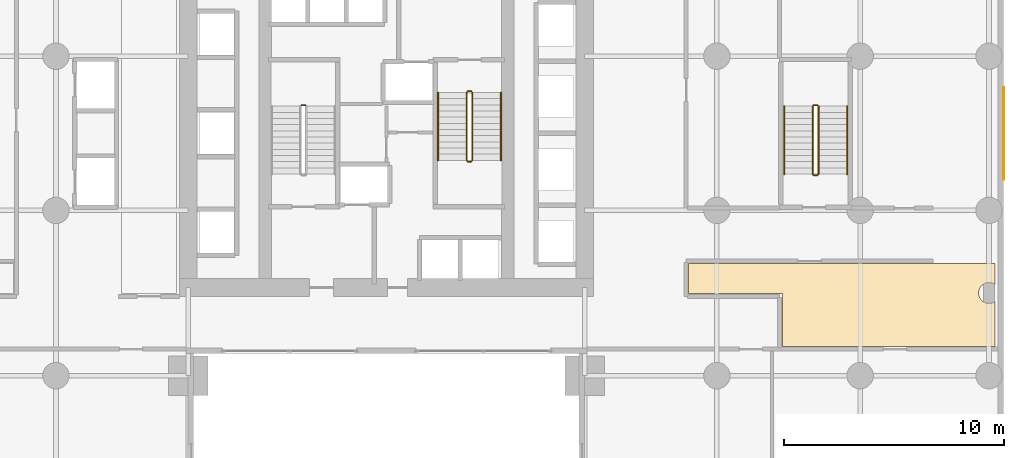
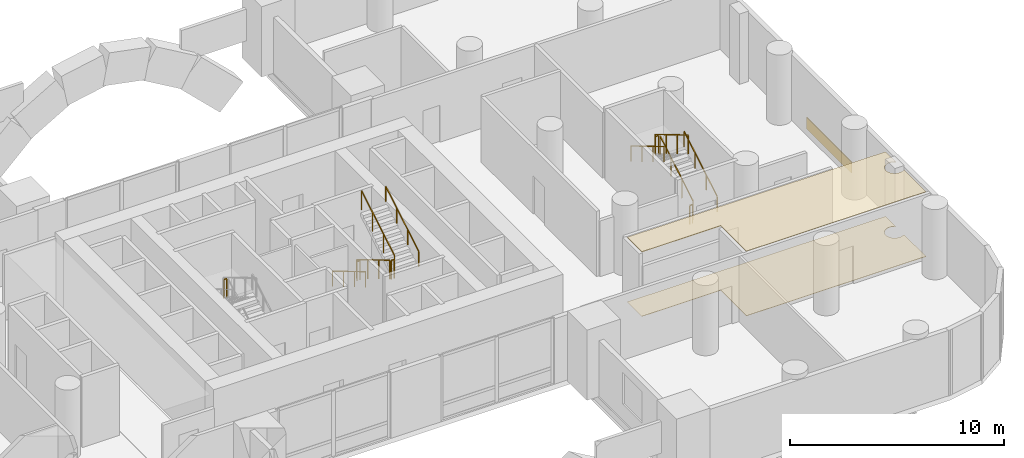
# One storey, part 9 of 9: 13 railings, 3 coverings.
"""IFC4 building model written with IfcOpenShell, lengths in metres."""

from ifc_helpers import new_model, si_unit, direction, frame, origin, origin_2d, place, context, subcontext, project, spatial, polyline, rectangle, outline, extrude, material, layer, layer_set, type_object, element, save


model = new_model("IFC4")

# Units and contexts
model_context = context("Model", 3, precision=1e-05, world=origin(), true_north=direction((0.0, 1.0)))
body_context = subcontext(model_context, "Body", "Model", "MODEL_VIEW")
ifc_project = project(units=[si_unit("LENGTHUNIT", "METRE"), si_unit("AREAUNIT", "SQUARE_METRE"), si_unit("VOLUMEUNIT", "CUBIC_METRE"), si_unit("PLANEANGLEUNIT", "RADIAN"), si_unit("MASSUNIT", "GRAM", prefix="KILO")], contexts=[model_context])

# Site, building, storey
site_placement = place(None, origin())
site = spatial("IfcSite", under=ifc_project, at=site_placement, CompositionType="ELEMENT")
building_placement = place(site_placement, origin())
building = spatial("IfcBuilding", under=site, at=building_placement, Name="Veldorim Arch Residences", CompositionType="ELEMENT")
storey_placement = place(building_placement, frame((0.0, 0.0, 8.0)))
storey = spatial("IfcBuildingStorey", under=building, at=storey_placement, Name="L02", CompositionType="ELEMENT", Elevation=8.0)

# Railings
ifc_material_1 = material(Name="Steel S355", Category="steel")
railing_type_1 = type_object("IfcRailingType", Name="Galvanised Steel Stair Safety Guardrail 1100", PredefinedType="GUARDRAIL", material=ifc_material_1)
railing_1_placement = place(storey_placement, frame((28.31005859375, 25.280029296875, 2.0)))
element("IfcRailing", 1, at=railing_1_placement, inside=storey, type_object=railing_type_1, Name="L02 ST-1 stair guard 2", PredefinedType="GUARDRAIL", context=body_context, shape_type="SweptSolid", body=[
    extrude(rectangle(XDim=0.048095703125, YDim=0.048095703125, at=origin_2d()), frame((0.0, 0.0, 1.076171875), z_axis=(-1.0, 0.0, 0.0), x_axis=(0.0, -1.0, 0.0)), (0.0, 0.0, 1.0), 0.16015625),
    extrude(rectangle(XDim=0.0419921875, YDim=0.0419921875, at=origin_2d()), origin(), (0.0, 0.0, 1.0), 1.052001953125),
    extrude(rectangle(XDim=0.0419921875, YDim=0.0419921875, at=origin_2d()), frame((-0.16015625, 0.0, 0.0)), (0.0, 0.0, 1.0), 1.052001953125),
])
railing_2_placement = place(storey_placement, frame((35.639892578125, 25.85009765625, 0.166748046875)))
element("IfcRailing", 2, at=railing_2_placement, inside=storey, type_object=railing_type_1, Name="L02 ST-2 stair guard 1", PredefinedType="GUARDRAIL", context=body_context, shape_type="SweptSolid", body=[
    extrude(rectangle(XDim=0.048095703125, YDim=0.048095703125, at=origin_2d()), frame((0.0, 0.0, 1.076171875), z_axis=(0.0, -0.859308565015, 0.511457515432), x_axis=(1.0, 0.0, 0.0)), (0.0, 0.0, 1.0), 3.58447265625),
    extrude(rectangle(XDim=0.0419921875, YDim=0.0419921875, at=origin_2d()), origin(), (0.0, 0.0, 1.0), 1.052001953125),
    extrude(rectangle(XDim=0.0419921875, YDim=0.0419921875, at=origin_2d()), frame((0.0, -1.026611328125, 0.611083984375)), (0.0, 0.0, 1.0), 1.052001953125),
    extrude(rectangle(XDim=0.0419921875, YDim=0.0419921875, at=origin_2d()), frame((0.0, -2.053466796875, 1.22216796875)), (0.0, 0.0, 1.0), 1.052001953125),
    extrude(rectangle(XDim=0.0419921875, YDim=0.0419921875, at=origin_2d()), frame((0.0, -3.080078125, 1.833251953125)), (0.0, 0.0, 1.0), 1.052001953125),
])
railing_3_placement = place(storey_placement, frame((35.68994140625, 22.719970703125, 2.0)))
element("IfcRailing", 3, at=railing_3_placement, inside=storey, type_object=railing_type_1, Name="L02 ST-2 stair guard 2", PredefinedType="GUARDRAIL", context=body_context, shape_type="SweptSolid", body=[
    extrude(rectangle(XDim=0.048095703125, YDim=0.048095703125, at=origin_2d()), frame((0.0, 0.0, 1.076171875), z_axis=(1.0, 0.0, 0.0), x_axis=(0.0, 1.0, 0.0)), (0.0, 0.0, 1.0), 0.16015625),
    extrude(rectangle(XDim=0.0419921875, YDim=0.0419921875, at=origin_2d()), origin(), (0.0, 0.0, 1.0), 1.052001953125),
    extrude(rectangle(XDim=0.0419921875, YDim=0.0419921875, at=origin_2d()), frame((0.16015625, 0.0, 0.0)), (0.0, 0.0, 1.0), 1.052001953125),
])
railing_4_placement = place(storey_placement, frame((35.89990234375, 22.77001953125, 2.166748046875)))
element("IfcRailing", 4, at=railing_4_placement, inside=storey, type_object=railing_type_1, Name="L02 ST-2 stair guard 3", PredefinedType="GUARDRAIL", context=body_context, shape_type="SweptSolid", body=[
    extrude(rectangle(XDim=0.048095703125, YDim=0.048095703125, at=origin_2d()), frame((0.0, 0.0, 1.076171875), z_axis=(0.0, 0.859308565015, 0.511457515432), x_axis=(-1.0, 0.0, 0.0)), (0.0, 0.0, 1.0), 3.58447265625),
    extrude(rectangle(XDim=0.0419921875, YDim=0.0419921875, at=origin_2d()), origin(), (0.0, 0.0, 1.0), 1.052001953125),
    extrude(rectangle(XDim=0.0419921875, YDim=0.0419921875, at=origin_2d()), frame((0.0, 1.026611328125, 0.611083984375)), (0.0, 0.0, 1.0), 1.052001953125),
    extrude(rectangle(XDim=0.0419921875, YDim=0.0419921875, at=origin_2d()), frame((0.0, 2.053466796875, 1.22216796875)), (0.0, 0.0, 1.0), 1.052001953125),
    extrude(rectangle(XDim=0.0419921875, YDim=0.0419921875, at=origin_2d()), frame((0.0, 3.080078125, 1.833251953125)), (0.0, 0.0, 1.0), 1.052001953125),
])
railing_5_placement = place(storey_placement, frame((35.68994140625, 25.89990234375, 0.0)))
element("IfcRailing", 5, at=railing_5_placement, inside=storey, type_object=railing_type_1, Name="L02 ST-2 stair guard 4", PredefinedType="GUARDRAIL", context=body_context, shape_type="SweptSolid", body=[
    extrude(rectangle(XDim=0.048095703125, YDim=0.048095703125, at=origin_2d()), frame((0.0, 0.0, 1.076171875), z_axis=(1.0, 0.0, 0.0), x_axis=(0.0, 1.0, 0.0)), (0.0, 0.0, 1.0), 0.16015625),
    extrude(rectangle(XDim=0.0419921875, YDim=0.0419921875, at=origin_2d()), origin(), (0.0, 0.0, 1.0), 1.052001953125),
    extrude(rectangle(XDim=0.0419921875, YDim=0.0419921875, at=origin_2d()), frame((0.16015625, 0.0, 0.0)), (0.0, 0.0, 1.0), 1.052001953125),
])
railing_6_placement = place(storey_placement, frame((51.610107421875, 22.14990234375, 0.166748046875)))
element("IfcRailing", 6, at=railing_6_placement, inside=storey, type_object=railing_type_1, Name="L02 ST-3 stair guard 1", PredefinedType="GUARDRAIL", context=body_context, shape_type="SweptSolid", body=[
    extrude(rectangle(XDim=0.048095703125, YDim=0.048095703125, at=origin_2d()), frame((0.0, 0.0, 1.076171875), z_axis=(0.0, 0.859308565015, 0.511457515432), x_axis=(-1.0, 0.0, 0.0)), (0.0, 0.0, 1.0), 3.58447265625),
    extrude(rectangle(XDim=0.0419921875, YDim=0.0419921875, at=origin_2d()), origin(), (0.0, 0.0, 1.0), 1.052001953125),
    extrude(rectangle(XDim=0.0419921875, YDim=0.0419921875, at=origin_2d()), frame((0.0, 1.026611328125, 0.611083984375)), (0.0, 0.0, 1.0), 1.052001953125),
    extrude(rectangle(XDim=0.0419921875, YDim=0.0419921875, at=origin_2d()), frame((0.0, 2.053466796875, 1.22216796875)), (0.0, 0.0, 1.0), 1.052001953125),
    extrude(rectangle(XDim=0.0419921875, YDim=0.0419921875, at=origin_2d()), frame((0.0, 3.080078125, 1.833251953125)), (0.0, 0.0, 1.0), 1.052001953125),
])
railing_7_placement = place(storey_placement, frame((51.56005859375, 25.280029296875, 2.0)))
element("IfcRailing", 7, at=railing_7_placement, inside=storey, type_object=railing_type_1, Name="L02 ST-3 stair guard 2", PredefinedType="GUARDRAIL", context=body_context, shape_type="SweptSolid", body=[
    extrude(rectangle(XDim=0.048095703125, YDim=0.048095703125, at=origin_2d()), frame((0.0, 0.0, 1.076171875), z_axis=(-1.0, 0.0, 0.0), x_axis=(0.0, -1.0, 0.0)), (0.0, 0.0, 1.0), 0.16015625),
    extrude(rectangle(XDim=0.0419921875, YDim=0.0419921875, at=origin_2d()), origin(), (0.0, 0.0, 1.0), 1.052001953125),
    extrude(rectangle(XDim=0.0419921875, YDim=0.0419921875, at=origin_2d()), frame((-0.16015625, 0.0, 0.0)), (0.0, 0.0, 1.0), 1.052001953125),
])
railing_8_placement = place(storey_placement, frame((51.35009765625, 25.22998046875, 2.166748046875)))
element("IfcRailing", 8, at=railing_8_placement, inside=storey, type_object=railing_type_1, Name="L02 ST-3 stair guard 3", PredefinedType="GUARDRAIL", context=body_context, shape_type="SweptSolid", body=[
    extrude(rectangle(XDim=0.048095703125, YDim=0.048095703125, at=origin_2d()), frame((0.0, 0.0, 1.076171875), z_axis=(0.0, -0.859308565015, 0.511457515432), x_axis=(1.0, 0.0, 0.0)), (0.0, 0.0, 1.0), 3.58447265625),
    extrude(rectangle(XDim=0.0419921875, YDim=0.0419921875, at=origin_2d()), origin(), (0.0, 0.0, 1.0), 1.052001953125),
    extrude(rectangle(XDim=0.0419921875, YDim=0.0419921875, at=origin_2d()), frame((0.0, -1.026611328125, 0.611083984375)), (0.0, 0.0, 1.0), 1.052001953125),
    extrude(rectangle(XDim=0.0419921875, YDim=0.0419921875, at=origin_2d()), frame((0.0, -2.053466796875, 1.22216796875)), (0.0, 0.0, 1.0), 1.052001953125),
    extrude(rectangle(XDim=0.0419921875, YDim=0.0419921875, at=origin_2d()), frame((0.0, -3.080078125, 1.833251953125)), (0.0, 0.0, 1.0), 1.052001953125),
])
railing_9_placement = place(storey_placement, frame((51.56005859375, 22.10009765625, 0.0)))
element("IfcRailing", 9, at=railing_9_placement, inside=storey, type_object=railing_type_1, Name="L02 ST-3 stair guard 4", PredefinedType="GUARDRAIL", context=body_context, shape_type="SweptSolid", body=[
    extrude(rectangle(XDim=0.048095703125, YDim=0.048095703125, at=origin_2d()), frame((0.0, 0.0, 1.076171875), z_axis=(-1.0, 0.0, 0.0), x_axis=(0.0, -1.0, 0.0)), (0.0, 0.0, 1.0), 0.16015625),
    extrude(rectangle(XDim=0.0419921875, YDim=0.0419921875, at=origin_2d()), origin(), (0.0, 0.0, 1.0), 1.052001953125),
    extrude(rectangle(XDim=0.0419921875, YDim=0.0419921875, at=origin_2d()), frame((-0.16015625, 0.0, 0.0)), (0.0, 0.0, 1.0), 1.052001953125),
])

# Coverings
ifc_material_2 = material(Name="Acoustic Gypsum & Mineral Fibre", Category="gypsum")
ifc_layer_1 = layer(ifc_material_2, 0.034912109375, Name="Perforated Acoustic Mineral-Fibre Ceiling 35")
ifc_layer_set_1 = layer_set([ifc_layer_1], Name="Acoustic Gypsum & Mineral Fibre")
covering_type_1 = type_object("IfcCoveringType", Name="Perforated Acoustic Mineral-Fibre Ceiling 35", PredefinedType="CEILING", material=ifc_layer_set_1)
covering_1_placement = place(storey_placement, frame((0.0, 0.0, 3.6650390625)))
element("IfcCovering", 10, at=covering_1_placement, inside=storey, type_object=covering_type_1, Name="L02 acoustic suspended ceiling 03", PredefinedType="CEILING", context=body_context, shape_type="SweptSolid", body=[
    extrude(outline(polyline([(49.969970703125, 16.719970703125), (45.719970703125, 16.719970703125), (45.719970703125, 18.080078125), (59.6298828125, 18.080078125), (59.6298828125, 17.12890625), (59.58740234375, 17.161376953125), (59.472900390625, 17.208740234375), (59.35009765625, 17.22509765625), (59.22705078125, 17.208740234375), (59.112548828125, 17.161376953125), (59.01416015625, 17.0859375), (58.938720703125, 16.987548828125), (58.89111328125, 16.872802734375), (58.875, 16.75), (58.89111328125, 16.627197265625), (58.938720703125, 16.512451171875), (59.01416015625, 16.4140625), (59.112548828125, 16.338623046875), (59.22705078125, 16.291259765625), (59.35009765625, 16.27490234375), (59.472900390625, 16.291259765625), (59.58740234375, 16.338623046875), (59.6298828125, 16.37109375), (59.6298828125, 14.320068359375), (49.969970703125, 14.320068359375), (49.969970703125, 16.719970703125)])), origin(), (0.0, 0.0, 1.0), 0.034912109375),
])
ifc_material_3 = material(Name="Porcelain Ceramic Tile", Category="ceramic")
ifc_layer_2 = layer(ifc_material_3, 0.02001953125, Name="Slip-Resistant Porcelain & Vinyl Floor Finish 20")
ifc_layer_set_2 = layer_set([ifc_layer_2], Name="Porcelain Ceramic Tile")
covering_type_2 = type_object("IfcCoveringType", Name="Slip-Resistant Porcelain & Vinyl Floor Finish 20", PredefinedType="FLOORING", material=ifc_layer_set_2)
covering_2_placement = place(storey_placement, origin())
element("IfcCovering", 11, at=covering_2_placement, inside=storey, type_object=covering_type_2, Name="L02 porcelain floor finish 03", PredefinedType="FLOORING", context=body_context, shape_type="SweptSolid", body=[
    extrude(outline(polyline([(49.969970703125, 16.719970703125), (45.719970703125, 16.719970703125), (45.719970703125, 18.080078125), (59.6298828125, 18.080078125), (59.6298828125, 17.12890625), (59.58740234375, 17.161376953125), (59.472900390625, 17.208740234375), (59.35009765625, 17.22509765625), (59.22705078125, 17.208740234375), (59.112548828125, 17.161376953125), (59.01416015625, 17.0859375), (58.938720703125, 16.987548828125), (58.89111328125, 16.872802734375), (58.875, 16.75), (58.89111328125, 16.627197265625), (58.938720703125, 16.512451171875), (59.01416015625, 16.4140625), (59.112548828125, 16.338623046875), (59.22705078125, 16.291259765625), (59.35009765625, 16.27490234375), (59.472900390625, 16.291259765625), (59.58740234375, 16.338623046875), (59.6298828125, 16.37109375), (59.6298828125, 14.320068359375), (49.969970703125, 14.320068359375), (49.969970703125, 16.719970703125)])), origin(), (0.0, 0.0, 1.0), 0.02001953125),
])
ifc_material_4 = material(Name="Terracotta Ceramic", Category="masonry")
ifc_layer_3 = layer(ifc_material_4, 0.0400390625, Name="Terracotta Rainscreen Spandrel Cladding Panel")
ifc_layer_set_3 = layer_set([ifc_layer_3], Name="Terracotta Ceramic")
covering_type_3 = type_object("IfcCoveringType", Name="Terracotta Rainscreen Spandrel Cladding Panel", PredefinedType="CLADDING", material=ifc_layer_set_3)
covering_3_placement = place(storey_placement, frame((60.010009765625, 24.0, 0.025146484375), z_axis=(0.0, 0.0, 1.0), x_axis=(0.0, 1.0, 0.0)))
element("IfcCovering", 12, at=covering_3_placement, inside=storey, type_object=covering_type_3, Name="L02 terracotta rainscreen spandrel panel 2", PredefinedType="CLADDING", context=body_context, shape_type="SweptSolid", body=[
    extrude(rectangle(XDim=4.199951171875, YDim=0.0400390625, at=origin_2d()), origin(), (0.0, 0.0, 1.0), 0.64990234375),
])

# Railings
ifc_material_5 = material(Name="Stainless Steel", Category="steel")
railing_type_2 = type_object("IfcRailingType", Name="Tubular Steel Continuous Wall Handrail 900", PredefinedType="HANDRAIL", material=ifc_material_5)
railing_10_placement = place(storey_placement, frame((34.340087890625, 25.85009765625, 0.166748046875)))
element("IfcRailing", 13, at=railing_10_placement, inside=storey, type_object=railing_type_2, Name="L02 ST-2 stair handrail 1", PredefinedType="HANDRAIL", context=body_context, shape_type="SweptSolid", body=[
    extrude(rectangle(XDim=0.048095703125, YDim=0.048095703125, at=origin_2d()), frame((0.0, 0.0, 0.8759765625), z_axis=(0.0, -0.859308565015, 0.511457515432), x_axis=(1.0, 0.0, 0.0)), (0.0, 0.0, 1.0), 3.58447265625),
    extrude(rectangle(XDim=0.0419921875, YDim=0.0419921875, at=origin_2d()), origin(), (0.0, 0.0, 1.0), 0.851806640625),
    extrude(rectangle(XDim=0.0419921875, YDim=0.0419921875, at=origin_2d()), frame((0.0, -1.026611328125, 0.611083984375)), (0.0, 0.0, 1.0), 0.851806640625),
    extrude(rectangle(XDim=0.0419921875, YDim=0.0419921875, at=origin_2d()), frame((0.0, -2.053466796875, 1.22216796875)), (0.0, 0.0, 1.0), 0.851806640625),
    extrude(rectangle(XDim=0.0419921875, YDim=0.0419921875, at=origin_2d()), frame((0.0, -3.080078125, 1.833251953125)), (0.0, 0.0, 1.0), 0.851806640625),
])
for number, where, name in (
    (14, (37.199951171875, 22.77001953125, 2.166748046875), "L02 ST-2 stair handrail 2"),
    (15, (52.909912109375, 22.14990234375, 0.166748046875), "L02 ST-3 stair handrail 1"),
):
    element("IfcRailing", number, at=place(storey_placement, frame(where)), inside=storey, type_object=railing_type_2, Name=name, PredefinedType="HANDRAIL", context=body_context, shape_type="SweptSolid", body=[
        extrude(rectangle(XDim=0.048095703125, YDim=0.048095703125, at=origin_2d()), frame((0.0, 0.0, 0.8759765625), z_axis=(0.0, 0.859308565015, 0.511457515432), x_axis=(-1.0, 0.0, 0.0)), (0.0, 0.0, 1.0), 3.58447265625),
        extrude(rectangle(XDim=0.0419921875, YDim=0.0419921875, at=origin_2d()), origin(), (0.0, 0.0, 1.0), 0.851806640625),
        extrude(rectangle(XDim=0.0419921875, YDim=0.0419921875, at=origin_2d()), frame((0.0, 1.026611328125, 0.611083984375)), (0.0, 0.0, 1.0), 0.851806640625),
        extrude(rectangle(XDim=0.0419921875, YDim=0.0419921875, at=origin_2d()), frame((0.0, 2.053466796875, 1.22216796875)), (0.0, 0.0, 1.0), 0.851806640625),
        extrude(rectangle(XDim=0.0419921875, YDim=0.0419921875, at=origin_2d()), frame((0.0, 3.080078125, 1.833251953125)), (0.0, 0.0, 1.0), 0.851806640625),
    ])
railing_11_placement = place(storey_placement, frame((50.050048828125, 25.22998046875, 2.166748046875)))
element("IfcRailing", 16, at=railing_11_placement, inside=storey, type_object=railing_type_2, Name="L02 ST-3 stair handrail 2", PredefinedType="HANDRAIL", context=body_context, shape_type="SweptSolid", body=[
    extrude(rectangle(XDim=0.048095703125, YDim=0.048095703125, at=origin_2d()), frame((0.0, 0.0, 0.8759765625), z_axis=(0.0, -0.859308565015, 0.511457515432), x_axis=(1.0, 0.0, 0.0)), (0.0, 0.0, 1.0), 3.58447265625),
    extrude(rectangle(XDim=0.0419921875, YDim=0.0419921875, at=origin_2d()), origin(), (0.0, 0.0, 1.0), 0.851806640625),
    extrude(rectangle(XDim=0.0419921875, YDim=0.0419921875, at=origin_2d()), frame((0.0, -1.026611328125, 0.611083984375)), (0.0, 0.0, 1.0), 0.851806640625),
    extrude(rectangle(XDim=0.0419921875, YDim=0.0419921875, at=origin_2d()), frame((0.0, -2.053466796875, 1.22216796875)), (0.0, 0.0, 1.0), 0.851806640625),
    extrude(rectangle(XDim=0.0419921875, YDim=0.0419921875, at=origin_2d()), frame((0.0, -3.080078125, 1.833251953125)), (0.0, 0.0, 1.0), 0.851806640625),
])

save(model, "model.ifc")
